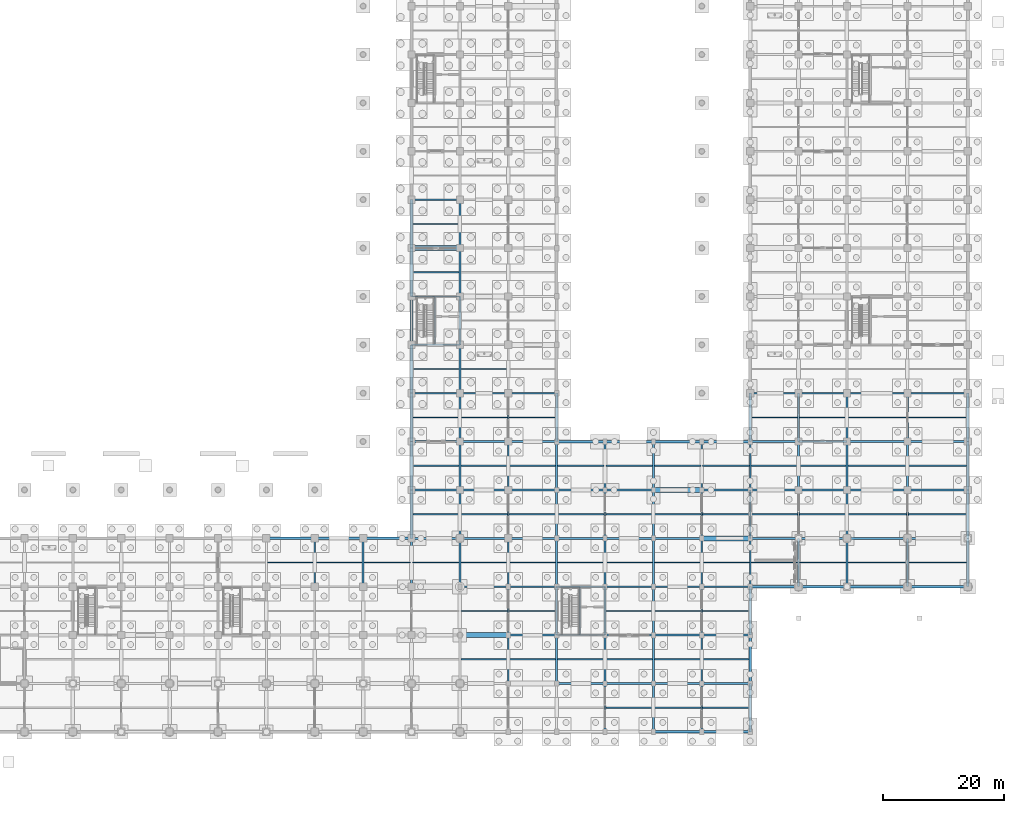
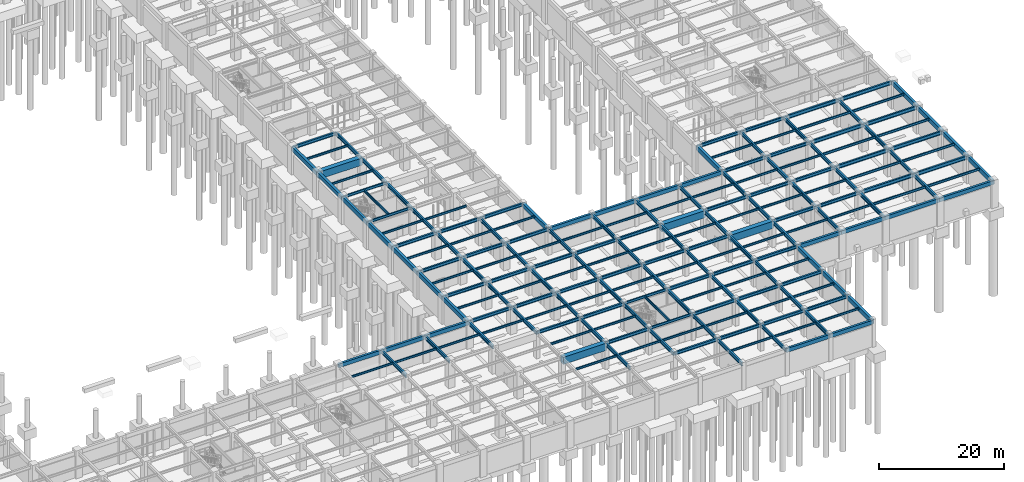
# One storey, part 61 of 97: 203 beams.
"""IFC4 building model written with IfcOpenShell, lengths in metres."""

from ifc_helpers import new_model, si_unit, direction, frame, origin, origin_2d, place, context, subcontext, project, spatial, rectangle, i_section, extrude, material, material_profile, profile_set, type_object, element, save


model = new_model("IFC4")

# Units and contexts
model_context = context("Model", 3, precision=1e-05, world=origin(), true_north=direction((0.0, 1.0)))
body_context = subcontext(model_context, "Body", "Model", "MODEL_VIEW")
ifc_project = project(units=[si_unit("LENGTHUNIT", "METRE"), si_unit("AREAUNIT", "SQUARE_METRE"), si_unit("VOLUMEUNIT", "CUBIC_METRE"), si_unit("PLANEANGLEUNIT", "RADIAN"), si_unit("MASSUNIT", "GRAM", prefix="KILO")], contexts=[model_context])

# Site, building, storey
site_placement = place(None, origin())
site = spatial("IfcSite", under=ifc_project, at=site_placement, CompositionType="ELEMENT")
building_placement = place(site_placement, origin())
building = spatial("IfcBuilding", under=site, at=building_placement, Name="Haebicheon Civic Stadium", CompositionType="ELEMENT")
storey_placement = place(building_placement, frame((0.0, 0.0, -5.39990234375)))
storey = spatial("IfcBuildingStorey", under=building, at=storey_placement, Name="B1", CompositionType="ELEMENT", Elevation=-5.39990234375)

# Beams
ifc_material_1 = material(Name="Steel SM355 (S355)", Category="steel")
ifc_material_profile_1 = material_profile(ifc_material_1, i_section(OverallWidth=0.199951171875, OverallDepth=0.5, WebThickness=0.010009765625, FlangeThickness=0.01611328125, at=origin_2d()), Name="H-500x200x10x16")
ifc_profile_set_1 = profile_set([ifc_material_profile_1], Name="Steel SM355 (S355)")
beam_type_1 = type_object("IfcBeamType", Name="BM-ST-H500", PredefinedType="BEAM", material=ifc_profile_set_1)
for number, where, z_axis, x_axis, name in (
    (1, (144.0, 64.0, 4.849853515625), (1.0, 0.0, 0.0), (0.0, 1.0, 0.0), "B1 beam J/19-20"),
    (2, (144.0, 72.0, 4.849853515625), (1.0, 0.0, 0.0), (0.0, 1.0, 0.0), "B1 beam K/19-20"),
    (3, (168.0, 16.0, 4.849853515625), (1.0, 0.0, 0.0), (0.0, 1.0, 0.0), "B1 beam C/22-23"),
    (4, (168.0, 24.0, 4.849853515625), (1.0, 0.0, 0.0), (0.0, 1.0, 0.0), "B1 beam D/22-23"),
):
    element("IfcBeam", number, at=place(storey_placement, frame(where, z_axis=z_axis, x_axis=x_axis)), inside=storey, type_object=beam_type_1, material=ifc_profile_set_1, Name=name, PredefinedType="BEAM", context=body_context, shape_type="SweptSolid", body=[
        extrude(i_section(OverallWidth=0.199951171875, OverallDepth=0.5, WebThickness=0.010009765625, FlangeThickness=0.01611328125, at=origin_2d()), origin(), (0.0, 0.0, 1.0), 8.0),
    ])
for number, where, z_axis, x_axis, name in (
    (5, (147.8798828125, 64.10009765625, 4.849853515625), (0.0, 1.0, 0.0), (-1.0, 0.0, 0.0), "B1 KC-10 core dividing wall support beam"),
    (6, (171.8798828125, 16.10009765625, 4.849853515625), (0.0, 1.0, 0.0), (-1.0, 0.0, 0.0), "B1 KC-14 core dividing wall support beam"),
):
    element("IfcBeam", number, at=place(storey_placement, frame(where, z_axis=z_axis, x_axis=x_axis)), inside=storey, type_object=beam_type_1, material=ifc_profile_set_1, Name=name, PredefinedType="BEAM", context=body_context, shape_type="SweptSolid", body=[
        extrude(i_section(OverallWidth=0.199951171875, OverallDepth=0.5, WebThickness=0.010009765625, FlangeThickness=0.01611328125, at=origin_2d()), origin(), (0.0, 0.0, 1.0), 7.7998046875),
    ])
ifc_material_2 = material(Name="Steel SM355 (S355)", Category="steel")
ifc_material_profile_2 = material_profile(ifc_material_2, i_section(OverallWidth=0.300048828125, OverallDepth=0.60009765625, WebThickness=0.011962890625, FlangeThickness=0.02001953125, at=origin_2d()), Name="H-600x300x12x20")
ifc_profile_set_2 = profile_set([ifc_material_profile_2], Name="Steel SM355 (S355)")
beam_type_2 = type_object("IfcBeamType", Name="BM-ST-H600A", PredefinedType="BEAM", material=ifc_profile_set_2)
for number, where, z_axis, x_axis, name in (
    (7, (144.0, 32.0, 4.7998046875), (1.0, 0.0, 0.0), (0.0, 1.0, 0.0), "B1 beam E/19-20"),
    (8, (144.0, 40.0, 4.7998046875), (1.0, 0.0, 0.0), (0.0, 1.0, 0.0), "B1 beam F/19-20"),
    (9, (144.0, 48.0, 4.7998046875), (1.0, 0.0, 0.0), (0.0, 1.0, 0.0), "B1 beam G/19-20"),
    (10, (144.0, 56.0, 4.7998046875), (1.0, 0.0, 0.0), (0.0, 1.0, 0.0), "B1 beam H/19-20"),
    (11, (144.0, 88.0, 4.7998046875), (1.0, 0.0, 0.0), (0.0, 1.0, 0.0), "B1 beam M/19-20"),
    (12, (152.0, 24.0, 4.7998046875), (1.0, 0.0, 0.0), (0.0, 1.0, 0.0), "B1 beam D/20-21"),
    (13, (152.0, 32.0, 4.7998046875), (1.0, 0.0, 0.0), (0.0, 1.0, 0.0), "B1 beam E/20-21"),
    (14, (152.0, 40.0, 4.7998046875), (1.0, 0.0, 0.0), (0.0, 1.0, 0.0), "B1 beam F/20-21"),
    (15, (152.0, 48.0, 4.7998046875), (1.0, 0.0, 0.0), (0.0, 1.0, 0.0), "B1 beam G/20-21"),
    (16, (152.0, 56.0, 4.7998046875), (1.0, 0.0, 0.0), (0.0, 1.0, 0.0), "B1 beam H/20-21"),
    (17, (160.0, 16.0, 4.7998046875), (1.0, 0.0, 0.0), (0.0, 1.0, 0.0), "B1 beam C/21-22"),
    (18, (160.0, 24.0, 4.7998046875), (1.0, 0.0, 0.0), (0.0, 1.0, 0.0), "B1 beam D/21-22"),
    (19, (160.0, 32.0, 4.7998046875), (1.0, 0.0, 0.0), (0.0, 1.0, 0.0), "B1 beam E/21-22"),
    (20, (160.0, 40.0, 4.7998046875), (1.0, 0.0, 0.0), (0.0, 1.0, 0.0), "B1 beam F/21-22"),
    (21, (160.0, 48.0, 4.7998046875), (1.0, 0.0, 0.0), (0.0, 1.0, 0.0), "B1 beam G/21-22"),
    (22, (160.0, 56.0, 4.7998046875), (1.0, 0.0, 0.0), (0.0, 1.0, 0.0), "B1 beam H/21-22"),
    (23, (168.0, 8.0, 4.7998046875), (1.0, 0.0, 0.0), (0.0, 1.0, 0.0), "B1 beam B/22-23"),
    (24, (168.0, 32.0, 4.7998046875), (1.0, 0.0, 0.0), (0.0, 1.0, 0.0), "B1 beam E/22-23"),
    (25, (168.0, 40.0, 4.7998046875), (1.0, 0.0, 0.0), (0.0, 1.0, 0.0), "B1 beam F/22-23"),
    (26, (176.0, 8.0, 4.7998046875), (1.0, 0.0, 0.0), (0.0, 1.0, 0.0), "B1 beam B/23-24"),
    (27, (176.0, 16.0, 4.7998046875), (1.0, 0.0, 0.0), (0.0, 1.0, 0.0), "B1 beam C/23-24"),
    (28, (176.0, 24.0, 4.7998046875), (1.0, 0.0, 0.0), (0.0, 1.0, 0.0), "B1 beam D/23-24"),
    (29, (176.0, 32.0, 4.7998046875), (1.0, 0.0, 0.0), (0.0, 1.0, 0.0), "B1 beam E/23-24"),
    (30, (176.0, 40.0, 4.7998046875), (1.0, 0.0, 0.0), (0.0, 1.0, 0.0), "B1 beam F/23-24"),
    (31, (184.0, 8.0, 4.7998046875), (1.0, 0.0, 0.0), (0.0, 1.0, 0.0), "B1 beam B/24-25"),
    (32, (184.0, 16.0, 4.7998046875), (1.0, 0.0, 0.0), (0.0, 1.0, 0.0), "B1 beam C/24-25"),
    (33, (184.0, 24.0, 4.7998046875), (1.0, 0.0, 0.0), (0.0, 1.0, 0.0), "B1 beam D/24-25"),
    (34, (184.0, 32.0, 4.7998046875), (1.0, 0.0, 0.0), (0.0, 1.0, 0.0), "B1 beam E/24-25"),
    (35, (192.0, 8.0, 4.7998046875), (1.0, 0.0, 0.0), (0.0, 1.0, 0.0), "B1 beam B/25-26"),
    (36, (192.0, 16.0, 4.7998046875), (1.0, 0.0, 0.0), (0.0, 1.0, 0.0), "B1 beam C/25-26"),
    (37, (192.0, 24.0, 4.7998046875), (1.0, 0.0, 0.0), (0.0, 1.0, 0.0), "B1 beam D/25-26"),
    (38, (192.0, 40.0, 4.7998046875), (1.0, 0.0, 0.0), (0.0, 1.0, 0.0), "B1 beam F/25-26"),
    (39, (200.0, 32.0, 4.7998046875), (1.0, 0.0, 0.0), (0.0, 1.0, 0.0), "B1 beam E/26-27"),
    (40, (200.0, 40.0, 4.7998046875), (1.0, 0.0, 0.0), (0.0, 1.0, 0.0), "B1 beam F/26-27"),
    (41, (200.0, 48.0, 4.7998046875), (1.0, 0.0, 0.0), (0.0, 1.0, 0.0), "B1 beam G/26-27"),
    (42, (200.0, 56.0, 4.7998046875), (1.0, 0.0, 0.0), (0.0, 1.0, 0.0), "B1 beam H/26-27"),
    (43, (208.0, 32.0, 4.7998046875), (1.0, 0.0, 0.0), (0.0, 1.0, 0.0), "B1 beam E/27-28"),
    (44, (208.0, 40.0, 4.7998046875), (1.0, 0.0, 0.0), (0.0, 1.0, 0.0), "B1 beam F/27-28"),
    (45, (208.0, 48.0, 4.7998046875), (1.0, 0.0, 0.0), (0.0, 1.0, 0.0), "B1 beam G/27-28"),
    (46, (208.0, 56.0, 4.7998046875), (1.0, 0.0, 0.0), (0.0, 1.0, 0.0), "B1 beam H/27-28"),
):
    element("IfcBeam", number, at=place(storey_placement, frame(where, z_axis=z_axis, x_axis=x_axis)), inside=storey, type_object=beam_type_2, material=ifc_profile_set_2, Name=name, PredefinedType="BEAM", context=body_context, shape_type="SweptSolid", body=[
        extrude(i_section(OverallWidth=0.300048828125, OverallDepth=0.60009765625, WebThickness=0.011962890625, FlangeThickness=0.02001953125, at=origin_2d()), origin(), (0.0, 0.0, 1.0), 8.0),
    ])
ifc_material_3 = material(Name="Steel SM490", Category="steel")
ifc_material_profile_3 = material_profile(ifc_material_3, i_section(OverallWidth=0.300048828125, OverallDepth=0.699951171875, WebThickness=0.012939453125, FlangeThickness=0.02392578125, at=origin_2d()), Name="H-700x300x13x24")
ifc_profile_set_3 = profile_set([ifc_material_profile_3], Name="Steel SM490")
beam_type_3 = type_object("IfcBeamType", Name="BM-ST-H700", PredefinedType="BEAM", material=ifc_profile_set_3)
for number, where, z_axis, x_axis, name in (
    (47, (128.0, 24.0, 4.75), (0.0, 1.0, 0.0), (-1.0, 0.0, 0.0), "B1 girder 17/D-E"),
    (48, (136.0, 24.0, 4.75), (0.0, 1.0, 0.0), (-1.0, 0.0, 0.0), "B1 girder 18/D-E"),
    (49, (144.0, 24.0, 4.75), (0.0, 1.0, 0.0), (-1.0, 0.0, 0.0), "B1 girder 19/D-E"),
    (50, (152.0, 24.0, 4.75), (0.0, 1.0, 0.0), (-1.0, 0.0, 0.0), "B1 girder 20/D-E"),
    (51, (152.0, 32.0, 4.75), (0.0, 1.0, 0.0), (-1.0, 0.0, 0.0), "B1 girder 20/E-F"),
    (52, (152.0, 40.0, 4.75), (0.0, 1.0, 0.0), (-1.0, 0.0, 0.0), "B1 girder 20/F-G"),
    (53, (152.0, 48.0, 4.75), (0.0, 1.0, 0.0), (-1.0, 0.0, 0.0), "B1 girder 20/G-H"),
    (54, (152.0, 56.0, 4.75), (0.0, 1.0, 0.0), (-1.0, 0.0, 0.0), "B1 girder 20/H-J"),
    (55, (152.0, 64.0, 4.75), (0.0, 1.0, 0.0), (-1.0, 0.0, 0.0), "B1 girder 20/J-K"),
    (56, (152.0, 72.0, 4.75), (0.0, 1.0, 0.0), (-1.0, 0.0, 0.0), "B1 girder 20/K-L"),
    (57, (152.0, 80.0, 4.75), (0.0, 1.0, 0.0), (-1.0, 0.0, 0.0), "B1 girder 20/L-M"),
    (58, (160.0, 8.0, 4.699951171875), (0.0, 1.0, 0.0), (-1.0, 0.0, 0.0), "B1 girder 21/B-C"),
    (59, (160.0, 16.0, 4.75), (0.0, 1.0, 0.0), (-1.0, 0.0, 0.0), "B1 girder 21/C-D"),
    (60, (160.0, 24.0, 4.75), (0.0, 1.0, 0.0), (-1.0, 0.0, 0.0), "B1 girder 21/D-E"),
    (61, (160.0, 32.0, 4.75), (0.0, 1.0, 0.0), (-1.0, 0.0, 0.0), "B1 girder 21/E-F"),
    (62, (160.0, 40.0, 4.75), (0.0, 1.0, 0.0), (-1.0, 0.0, 0.0), "B1 girder 21/F-G"),
    (63, (160.0, 48.0, 4.75), (0.0, 1.0, 0.0), (-1.0, 0.0, 0.0), "B1 girder 21/G-H"),
    (64, (168.0, 8.0, 4.75), (0.0, 1.0, 0.0), (-1.0, 0.0, 0.0), "B1 girder 22/B-C"),
    (65, (168.0, 16.0, 4.75), (0.0, 1.0, 0.0), (-1.0, 0.0, 0.0), "B1 girder 22/C-D"),
    (66, (168.0, 24.0, 4.75), (0.0, 1.0, 0.0), (-1.0, 0.0, 0.0), "B1 girder 22/D-E"),
    (67, (168.0, 32.0, 4.75), (0.0, 1.0, 0.0), (-1.0, 0.0, 0.0), "B1 girder 22/E-F"),
    (68, (168.0, 40.0, 4.75), (0.0, 1.0, 0.0), (-1.0, 0.0, 0.0), "B1 girder 22/F-G"),
    (69, (176.0, 0.0, 4.75), (0.0, 1.0, 0.0), (-1.0, 0.0, 0.0), "B1 girder 23/A-B"),
    (70, (176.0, 8.0, 4.75), (0.0, 1.0, 0.0), (-1.0, 0.0, 0.0), "B1 girder 23/B-C"),
    (71, (176.0, 16.0, 4.75), (0.0, 1.0, 0.0), (-1.0, 0.0, 0.0), "B1 girder 23/C-D"),
    (72, (176.0, 24.0, 4.75), (0.0, 1.0, 0.0), (-1.0, 0.0, 0.0), "B1 girder 23/D-E"),
    (73, (176.0, 32.0, 4.75), (0.0, 1.0, 0.0), (-1.0, 0.0, 0.0), "B1 girder 23/E-F"),
    (74, (176.0, 40.0, 4.75), (0.0, 1.0, 0.0), (-1.0, 0.0, 0.0), "B1 girder 23/F-G"),
    (75, (184.0, 0.0, 4.75), (0.0, 1.0, 0.0), (-1.0, 0.0, 0.0), "B1 girder 24/A-B"),
    (76, (184.0, 8.0, 4.75), (0.0, 1.0, 0.0), (-1.0, 0.0, 0.0), "B1 girder 24/B-C"),
    (77, (184.0, 16.0, 4.75), (0.0, 1.0, 0.0), (-1.0, 0.0, 0.0), "B1 girder 24/C-D"),
    (78, (184.0, 24.0, 4.75), (0.0, 1.0, 0.0), (-1.0, 0.0, 0.0), "B1 girder 24/D-E"),
    (79, (184.0, 32.0, 4.75), (0.0, 1.0, 0.0), (-1.0, 0.0, 0.0), "B1 girder 24/E-F"),
    (80, (184.0, 40.0, 4.75), (0.0, 1.0, 0.0), (-1.0, 0.0, 0.0), "B1 girder 24/F-G"),
    (81, (192.0, 0.0, 4.75), (0.0, 1.0, 0.0), (-1.0, 0.0, 0.0), "B1 girder 25/A-B"),
    (82, (192.0, 8.0, 4.75), (0.0, 1.0, 0.0), (-1.0, 0.0, 0.0), "B1 girder 25/B-C"),
    (83, (192.0, 16.0, 4.75), (0.0, 1.0, 0.0), (-1.0, 0.0, 0.0), "B1 girder 25/C-D"),
    (84, (192.0, 24.0, 4.75), (0.0, 1.0, 0.0), (-1.0, 0.0, 0.0), "B1 girder 25/D-E"),
    (85, (192.0, 32.0, 4.75), (0.0, 1.0, 0.0), (-1.0, 0.0, 0.0), "B1 girder 25/E-F"),
    (86, (192.0, 40.0, 4.75), (0.0, 1.0, 0.0), (-1.0, 0.0, 0.0), "B1 girder 25/F-G"),
    (87, (200.0, 24.0, 4.75), (0.0, 1.0, 0.0), (-1.0, 0.0, 0.0), "B1 girder 26/D-E"),
    (88, (200.0, 32.0, 4.75), (0.0, 1.0, 0.0), (-1.0, 0.0, 0.0), "B1 girder 26/E-F"),
    (89, (200.0, 40.0, 4.75), (0.0, 1.0, 0.0), (-1.0, 0.0, 0.0), "B1 girder 26/F-G"),
    (90, (208.0, 24.0, 4.75), (0.0, 1.0, 0.0), (-1.0, 0.0, 0.0), "B1 girder 27/D-E"),
    (91, (208.0, 32.0, 4.75), (0.0, 1.0, 0.0), (-1.0, 0.0, 0.0), "B1 girder 27/E-F"),
    (92, (208.0, 40.0, 4.75), (0.0, 1.0, 0.0), (-1.0, 0.0, 0.0), "B1 girder 27/F-G"),
    (93, (208.0, 48.0, 4.75), (0.0, 1.0, 0.0), (-1.0, 0.0, 0.0), "B1 girder 27/G-H"),
    (94, (216.0, 24.0, 4.75), (0.0, 1.0, 0.0), (-1.0, 0.0, 0.0), "B1 girder 28/D-E"),
    (95, (216.0, 32.0, 4.75), (0.0, 1.0, 0.0), (-1.0, 0.0, 0.0), "B1 girder 28/E-F"),
    (96, (216.0, 40.0, 4.75), (0.0, 1.0, 0.0), (-1.0, 0.0, 0.0), "B1 girder 28/F-G"),
    (97, (216.0, 48.0, 4.75), (0.0, 1.0, 0.0), (-1.0, 0.0, 0.0), "B1 girder 28/G-H"),
    (98, (226.0, 24.0, 4.75), (0.0, 1.0, 0.0), (-1.0, 0.0, 0.0), "B1 girder 29/D-E"),
    (99, (226.0, 32.0, 4.75), (0.0, 1.0, 0.0), (-1.0, 0.0, 0.0), "B1 girder 29/E-F"),
    (100, (226.0, 40.0, 4.75), (0.0, 1.0, 0.0), (-1.0, 0.0, 0.0), "B1 girder 29/F-G"),
    (101, (226.0, 48.0, 4.75), (0.0, 1.0, 0.0), (-1.0, 0.0, 0.0), "B1 girder 29/G-H"),
):
    element("IfcBeam", number, at=place(storey_placement, frame(where, z_axis=z_axis, x_axis=x_axis)), inside=storey, type_object=beam_type_3, material=ifc_profile_set_3, Name=name, PredefinedType="BEAM", context=body_context, shape_type="SweptSolid", body=[
        extrude(i_section(OverallWidth=0.300048828125, OverallDepth=0.699951171875, WebThickness=0.012939453125, FlangeThickness=0.02392578125, at=origin_2d()), origin(), (0.0, 0.0, 1.0), 8.0),
    ])
for number, where, z_axis, x_axis, name in (
    (102, (216.0, 32.0, 4.75), (1.0, 0.0, 0.0), (0.0, 1.0, 0.0), "B1 beam E/28-29"),
    (103, (216.0, 40.0, 4.75), (1.0, 0.0, 0.0), (0.0, 1.0, 0.0), "B1 beam F/28-29"),
    (104, (216.0, 48.0, 4.75), (1.0, 0.0, 0.0), (0.0, 1.0, 0.0), "B1 beam G/28-29"),
    (105, (216.0, 56.0, 4.75), (1.0, 0.0, 0.0), (0.0, 1.0, 0.0), "B1 beam H/28-29"),
    (106, (226.0, 32.0, 4.75), (1.0, 0.0, 0.0), (0.0, 1.0, 0.0), "B1 beam E/29-30"),
    (107, (226.0, 40.0, 4.75), (1.0, 0.0, 0.0), (0.0, 1.0, 0.0), "B1 beam F/29-30"),
    (108, (226.0, 48.0, 4.75), (1.0, 0.0, 0.0), (0.0, 1.0, 0.0), "B1 beam G/29-30"),
    (109, (226.0, 56.0, 4.75), (1.0, 0.0, 0.0), (0.0, 1.0, 0.0), "B1 beam H/29-30"),
):
    element("IfcBeam", number, at=place(storey_placement, frame(where, z_axis=z_axis, x_axis=x_axis)), inside=storey, type_object=beam_type_3, material=ifc_profile_set_3, Name=name, PredefinedType="BEAM", context=body_context, shape_type="SweptSolid", body=[
        extrude(i_section(OverallWidth=0.300048828125, OverallDepth=0.699951171875, WebThickness=0.012939453125, FlangeThickness=0.02392578125, at=origin_2d()), origin(), (0.0, 0.0, 1.0), 10.0),
    ])
ifc_material_4 = material(Name="Concrete C40/50", Category="concrete")
ifc_material_profile_4 = material_profile(ifc_material_4, rectangle(XDim=0.85009765625, YDim=1.39990234375, at=origin_2d()), Name="RC-TG-850x1400")
ifc_profile_set_4 = profile_set([ifc_material_profile_4], Name="Concrete C40/50")
beam_type_4 = type_object("IfcBeamType", Name="BM-TG-850x1400", PredefinedType="BEAM", material=ifc_profile_set_4)
for number, where, z_axis, x_axis, name in (
    (110, (144.0, 80.0, 4.39990234375), (1.0, 0.0, 0.0), (0.0, 1.0, 0.0), "B1 beam L/19-20"),
    (111, (152.0, 16.0, 4.349853515625), (1.0, 0.0, 0.0), (0.0, 1.0, 0.0), "B1 beam C/20-21"),
    (112, (184.0, 40.0, 4.39990234375), (1.0, 0.0, 0.0), (0.0, 1.0, 0.0), "B1 beam F/24-25"),
    (113, (192.0, 32.0, 4.39990234375), (1.0, 0.0, 0.0), (0.0, 1.0, 0.0), "B1 beam E/25-26"),
):
    element("IfcBeam", number, at=place(storey_placement, frame(where, z_axis=z_axis, x_axis=x_axis)), inside=storey, type_object=beam_type_4, material=ifc_profile_set_4, Name=name, PredefinedType="BEAM", context=body_context, shape_type="SweptSolid", body=[
        extrude(rectangle(XDim=0.85009765625, YDim=1.39990234375, at=origin_2d()), origin(), (0.0, 0.0, 1.0), 8.0),
    ])
ifc_material_5 = material(Name="Steel SM355 (S355)", Category="steel")
ifc_material_profile_5 = material_profile(ifc_material_5, i_section(OverallWidth=0.199951171875, OverallDepth=0.39990234375, WebThickness=0.008056640625, FlangeThickness=0.012939453125, at=origin_2d()), Name="H-400x200x8x13")
ifc_profile_set_5 = profile_set([ifc_material_profile_5], Name="Steel SM355 (S355)")
beam_type_5 = type_object("IfcBeamType", Name="JST-ST-H400", PredefinedType="JOIST", material=ifc_profile_set_5)
for number, where, z_axis, x_axis, name in (
    (114, (120.14990234375, 28.0, 4.89990234375), (1.0, 0.0, 0.0), (0.0, 1.0, 0.0), "B1 secondary joist 15-03"),
    (115, (128.14990234375, 28.0, 4.89990234375), (1.0, 0.0, 0.0), (0.0, 1.0, 0.0), "B1 secondary joist 16-03"),
    (116, (136.14990234375, 28.0, 4.89990234375), (1.0, 0.0, 0.0), (0.0, 1.0, 0.0), "B1 secondary joist 17-03"),
    (117, (144.14990234375, 28.0, 4.89990234375), (1.0, 0.0, 0.0), (0.0, 1.0, 0.0), "B1 secondary joist 18-03"),
):
    element("IfcBeam", number, at=place(storey_placement, frame(where, z_axis=z_axis, x_axis=x_axis)), inside=storey, type_object=beam_type_5, material=ifc_profile_set_5, Name=name, PredefinedType="JOIST", context=body_context, shape_type="SweptSolid", body=[
        extrude(i_section(OverallWidth=0.199951171875, OverallDepth=0.39990234375, WebThickness=0.008056640625, FlangeThickness=0.012939453125, at=origin_2d()), origin(), (0.0, 0.0, 1.0), 7.7001953125),
    ])
for number, where, z_axis, x_axis, name in (
    (118, (144.22509765625, 36.0, 4.89990234375), (1.0, 0.0, 0.0), (0.0, 1.0, 0.0), "B1 secondary joist 18-04"),
    (119, (144.22509765625, 44.0, 4.89990234375), (1.0, 0.0, 0.0), (0.0, 1.0, 0.0), "B1 secondary joist 18-05"),
    (120, (144.22509765625, 52.0, 4.89990234375), (1.0, 0.0, 0.0), (0.0, 1.0, 0.0), "B1 secondary joist 18-06"),
    (121, (144.22509765625, 60.0, 4.89990234375), (1.0, 0.0, 0.0), (0.0, 1.0, 0.0), "B1 secondary joist 18-07"),
    (122, (144.22509765625, 76.0, 4.89990234375), (1.0, 0.0, 0.0), (0.0, 1.0, 0.0), "B1 secondary joist 18-09"),
    (123, (144.22509765625, 84.0, 4.89990234375), (1.0, 0.0, 0.0), (0.0, 1.0, 0.0), "B1 secondary joist 18-10"),
):
    element("IfcBeam", number, at=place(storey_placement, frame(where, z_axis=z_axis, x_axis=x_axis)), inside=storey, type_object=beam_type_5, material=ifc_profile_set_5, Name=name, PredefinedType="JOIST", context=body_context, shape_type="SweptSolid", body=[
        extrude(i_section(OverallWidth=0.199951171875, OverallDepth=0.39990234375, WebThickness=0.008056640625, FlangeThickness=0.012939453125, at=origin_2d()), origin(), (0.0, 0.0, 1.0), 7.625),
    ])
for number, where, z_axis, x_axis, name in (
    (124, (152.14990234375, 12.0, 4.849853515625), (1.0, 0.0, 0.0), (0.0, 1.0, 0.0), "B1 secondary joist 19-01"),
    (125, (152.14990234375, 20.0, 4.89990234375), (1.0, 0.0, 0.0), (0.0, 1.0, 0.0), "B1 secondary joist 19-02"),
    (126, (152.14990234375, 28.0, 4.89990234375), (1.0, 0.0, 0.0), (0.0, 1.0, 0.0), "B1 secondary joist 19-03"),
    (127, (152.14990234375, 36.0, 4.89990234375), (1.0, 0.0, 0.0), (0.0, 1.0, 0.0), "B1 secondary joist 19-04"),
    (128, (152.14990234375, 44.0, 4.89990234375), (1.0, 0.0, 0.0), (0.0, 1.0, 0.0), "B1 secondary joist 19-05"),
    (129, (152.14990234375, 52.0, 4.89990234375), (1.0, 0.0, 0.0), (0.0, 1.0, 0.0), "B1 secondary joist 19-06"),
    (130, (152.14990234375, 60.0, 4.89990234375), (1.0, 0.0, 0.0), (0.0, 1.0, 0.0), "B1 secondary joist 19-07"),
    (131, (160.14990234375, 12.0, 4.89990234375), (1.0, 0.0, 0.0), (0.0, 1.0, 0.0), "B1 secondary joist 20-01"),
    (132, (160.14990234375, 20.0, 4.89990234375), (1.0, 0.0, 0.0), (0.0, 1.0, 0.0), "B1 secondary joist 20-02"),
    (133, (160.14990234375, 28.0, 4.89990234375), (1.0, 0.0, 0.0), (0.0, 1.0, 0.0), "B1 secondary joist 20-03"),
    (134, (160.14990234375, 36.0, 4.89990234375), (1.0, 0.0, 0.0), (0.0, 1.0, 0.0), "B1 secondary joist 20-04"),
    (135, (160.14990234375, 44.0, 4.89990234375), (1.0, 0.0, 0.0), (0.0, 1.0, 0.0), "B1 secondary joist 20-05"),
):
    element("IfcBeam", number, at=place(storey_placement, frame(where, z_axis=z_axis, x_axis=x_axis)), inside=storey, type_object=beam_type_5, material=ifc_profile_set_5, Name=name, PredefinedType="JOIST", context=body_context, shape_type="SweptSolid", body=[
        extrude(i_section(OverallWidth=0.199951171875, OverallDepth=0.39990234375, WebThickness=0.008056640625, FlangeThickness=0.012939453125, at=origin_2d()), origin(), (0.0, 0.0, 1.0), 7.7001953125),
    ])
beam_1_placement = place(storey_placement, frame((160.14990234375, 52.0, 4.89990234375), z_axis=(1.0, 0.0, 0.0), x_axis=(0.0, 1.0, 0.0)))
element("IfcBeam", 136, at=beam_1_placement, inside=storey, type_object=beam_type_5, material=ifc_profile_set_5, Name="B1 secondary joist 20-06", PredefinedType="JOIST", context=body_context, shape_type="SweptSolid", body=[
    extrude(i_section(OverallWidth=0.199951171875, OverallDepth=0.39990234375, WebThickness=0.008056640625, FlangeThickness=0.012939453125, at=origin_2d()), origin(), (0.0, 0.0, 1.0), 7.625),
])
for number, where, z_axis, x_axis, name in (
    (137, (168.14990234375, 12.0, 4.89990234375), (1.0, 0.0, 0.0), (0.0, 1.0, 0.0), "B1 secondary joist 21-01"),
    (138, (168.14990234375, 28.0, 4.89990234375), (1.0, 0.0, 0.0), (0.0, 1.0, 0.0), "B1 secondary joist 21-03"),
    (139, (168.14990234375, 36.0, 4.89990234375), (1.0, 0.0, 0.0), (0.0, 1.0, 0.0), "B1 secondary joist 21-04"),
    (140, (168.14990234375, 44.0, 4.89990234375), (1.0, 0.0, 0.0), (0.0, 1.0, 0.0), "B1 secondary joist 21-05"),
    (141, (176.14990234375, 4.0, 4.89990234375), (1.0, 0.0, 0.0), (0.0, 1.0, 0.0), "B1 secondary joist 22-00"),
    (142, (176.14990234375, 12.0, 4.89990234375), (1.0, 0.0, 0.0), (0.0, 1.0, 0.0), "B1 secondary joist 22-01"),
    (143, (176.14990234375, 20.0, 4.89990234375), (1.0, 0.0, 0.0), (0.0, 1.0, 0.0), "B1 secondary joist 22-02"),
    (144, (176.14990234375, 28.0, 4.89990234375), (1.0, 0.0, 0.0), (0.0, 1.0, 0.0), "B1 secondary joist 22-03"),
    (145, (176.14990234375, 36.0, 4.89990234375), (1.0, 0.0, 0.0), (0.0, 1.0, 0.0), "B1 secondary joist 22-04"),
    (146, (176.14990234375, 44.0, 4.89990234375), (1.0, 0.0, 0.0), (0.0, 1.0, 0.0), "B1 secondary joist 22-05"),
    (147, (184.14990234375, 4.0, 4.89990234375), (1.0, 0.0, 0.0), (0.0, 1.0, 0.0), "B1 secondary joist 23-00"),
    (148, (184.14990234375, 12.0, 4.89990234375), (1.0, 0.0, 0.0), (0.0, 1.0, 0.0), "B1 secondary joist 23-01"),
    (149, (184.14990234375, 20.0, 4.89990234375), (1.0, 0.0, 0.0), (0.0, 1.0, 0.0), "B1 secondary joist 23-02"),
    (150, (184.14990234375, 28.0, 4.89990234375), (1.0, 0.0, 0.0), (0.0, 1.0, 0.0), "B1 secondary joist 23-03"),
    (151, (184.14990234375, 36.0, 4.89990234375), (1.0, 0.0, 0.0), (0.0, 1.0, 0.0), "B1 secondary joist 23-04"),
    (152, (184.14990234375, 44.0, 4.89990234375), (1.0, 0.0, 0.0), (0.0, 1.0, 0.0), "B1 secondary joist 23-05"),
):
    element("IfcBeam", number, at=place(storey_placement, frame(where, z_axis=z_axis, x_axis=x_axis)), inside=storey, type_object=beam_type_5, material=ifc_profile_set_5, Name=name, PredefinedType="JOIST", context=body_context, shape_type="SweptSolid", body=[
        extrude(i_section(OverallWidth=0.199951171875, OverallDepth=0.39990234375, WebThickness=0.008056640625, FlangeThickness=0.012939453125, at=origin_2d()), origin(), (0.0, 0.0, 1.0), 7.7001953125),
    ])
for number, where, z_axis, x_axis, name in (
    (153, (192.14990234375, 4.0, 4.89990234375), (1.0, 0.0, 0.0), (0.0, 1.0, 0.0), "B1 secondary joist 24-00"),
    (154, (192.14990234375, 12.0, 4.89990234375), (1.0, 0.0, 0.0), (0.0, 1.0, 0.0), "B1 secondary joist 24-01"),
    (155, (192.14990234375, 20.0, 4.89990234375), (1.0, 0.0, 0.0), (0.0, 1.0, 0.0), "B1 secondary joist 24-02"),
):
    element("IfcBeam", number, at=place(storey_placement, frame(where, z_axis=z_axis, x_axis=x_axis)), inside=storey, type_object=beam_type_5, material=ifc_profile_set_5, Name=name, PredefinedType="JOIST", context=body_context, shape_type="SweptSolid", body=[
        extrude(i_section(OverallWidth=0.199951171875, OverallDepth=0.39990234375, WebThickness=0.008056640625, FlangeThickness=0.012939453125, at=origin_2d()), origin(), (0.0, 0.0, 1.0), 7.625),
    ])
for number, where, z_axis, x_axis, name in (
    (156, (192.14990234375, 28.0, 4.89990234375), (1.0, 0.0, 0.0), (0.0, 1.0, 0.0), "B1 secondary joist 24-03"),
    (157, (192.14990234375, 36.0, 4.89990234375), (1.0, 0.0, 0.0), (0.0, 1.0, 0.0), "B1 secondary joist 24-04"),
    (158, (192.14990234375, 44.0, 4.89990234375), (1.0, 0.0, 0.0), (0.0, 1.0, 0.0), "B1 secondary joist 24-05"),
    (159, (200.14990234375, 28.0, 4.89990234375), (1.0, 0.0, 0.0), (0.0, 1.0, 0.0), "B1 secondary joist 25-03"),
    (160, (200.14990234375, 36.0, 4.89990234375), (1.0, 0.0, 0.0), (0.0, 1.0, 0.0), "B1 secondary joist 25-04"),
    (161, (200.14990234375, 44.0, 4.89990234375), (1.0, 0.0, 0.0), (0.0, 1.0, 0.0), "B1 secondary joist 25-05"),
):
    element("IfcBeam", number, at=place(storey_placement, frame(where, z_axis=z_axis, x_axis=x_axis)), inside=storey, type_object=beam_type_5, material=ifc_profile_set_5, Name=name, PredefinedType="JOIST", context=body_context, shape_type="SweptSolid", body=[
        extrude(i_section(OverallWidth=0.199951171875, OverallDepth=0.39990234375, WebThickness=0.008056640625, FlangeThickness=0.012939453125, at=origin_2d()), origin(), (0.0, 0.0, 1.0), 7.7001953125),
    ])
beam_2_placement = place(storey_placement, frame((200.22509765625, 52.0, 4.89990234375), z_axis=(1.0, 0.0, 0.0), x_axis=(0.0, 1.0, 0.0)))
element("IfcBeam", 162, at=beam_2_placement, inside=storey, type_object=beam_type_5, material=ifc_profile_set_5, Name="B1 secondary joist 25-06", PredefinedType="JOIST", context=body_context, shape_type="SweptSolid", body=[
    extrude(i_section(OverallWidth=0.199951171875, OverallDepth=0.39990234375, WebThickness=0.008056640625, FlangeThickness=0.012939453125, at=origin_2d()), origin(), (0.0, 0.0, 1.0), 7.625),
])
for number, where, z_axis, x_axis, name in (
    (163, (208.14990234375, 28.0, 4.89990234375), (1.0, 0.0, 0.0), (0.0, 1.0, 0.0), "B1 secondary joist 26-03"),
    (164, (208.14990234375, 36.0, 4.89990234375), (1.0, 0.0, 0.0), (0.0, 1.0, 0.0), "B1 secondary joist 26-04"),
    (165, (208.14990234375, 44.0, 4.89990234375), (1.0, 0.0, 0.0), (0.0, 1.0, 0.0), "B1 secondary joist 26-05"),
    (166, (208.14990234375, 52.0, 4.89990234375), (1.0, 0.0, 0.0), (0.0, 1.0, 0.0), "B1 secondary joist 26-06"),
):
    element("IfcBeam", number, at=place(storey_placement, frame(where, z_axis=z_axis, x_axis=x_axis)), inside=storey, type_object=beam_type_5, material=ifc_profile_set_5, Name=name, PredefinedType="JOIST", context=body_context, shape_type="SweptSolid", body=[
        extrude(i_section(OverallWidth=0.199951171875, OverallDepth=0.39990234375, WebThickness=0.008056640625, FlangeThickness=0.012939453125, at=origin_2d()), origin(), (0.0, 0.0, 1.0), 7.7001953125),
    ])
ifc_material_6 = material(Name="Steel SM355 (S355)", Category="steel")
ifc_material_profile_6 = material_profile(ifc_material_6, i_section(OverallWidth=0.199951171875, OverallDepth=0.449951171875, WebThickness=0.009033203125, FlangeThickness=0.013916015625, at=origin_2d()), Name="H-450x200x9x14")
ifc_profile_set_6 = profile_set([ifc_material_profile_6], Name="Steel SM355 (S355)")
beam_type_6 = type_object("IfcBeamType", Name="JST-ST-H450", PredefinedType="JOIST", material=ifc_profile_set_6)
for number, where, z_axis, x_axis, name in (
    (167, (216.14990234375, 28.0, 4.875), (1.0, 0.0, 0.0), (0.0, 1.0, 0.0), "B1 secondary joist 27-03"),
    (168, (216.14990234375, 36.0, 4.875), (1.0, 0.0, 0.0), (0.0, 1.0, 0.0), "B1 secondary joist 27-04"),
    (169, (216.14990234375, 44.0, 4.875), (1.0, 0.0, 0.0), (0.0, 1.0, 0.0), "B1 secondary joist 27-05"),
    (170, (216.14990234375, 52.0, 4.875), (1.0, 0.0, 0.0), (0.0, 1.0, 0.0), "B1 secondary joist 27-06"),
):
    element("IfcBeam", number, at=place(storey_placement, frame(where, z_axis=z_axis, x_axis=x_axis)), inside=storey, type_object=beam_type_6, material=ifc_profile_set_6, Name=name, PredefinedType="JOIST", context=body_context, shape_type="SweptSolid", body=[
        extrude(i_section(OverallWidth=0.199951171875, OverallDepth=0.449951171875, WebThickness=0.009033203125, FlangeThickness=0.013916015625, at=origin_2d()), origin(), (0.0, 0.0, 1.0), 9.7001953125),
    ])
for number, where, z_axis, x_axis, name in (
    (171, (226.14990234375, 28.0, 4.875), (1.0, 0.0, 0.0), (0.0, 1.0, 0.0), "B1 secondary joist 28-03"),
    (172, (226.14990234375, 36.0, 4.875), (1.0, 0.0, 0.0), (0.0, 1.0, 0.0), "B1 secondary joist 28-04"),
    (173, (226.14990234375, 44.0, 4.875), (1.0, 0.0, 0.0), (0.0, 1.0, 0.0), "B1 secondary joist 28-05"),
    (174, (226.14990234375, 52.0, 4.875), (1.0, 0.0, 0.0), (0.0, 1.0, 0.0), "B1 secondary joist 28-06"),
):
    element("IfcBeam", number, at=place(storey_placement, frame(where, z_axis=z_axis, x_axis=x_axis)), inside=storey, type_object=beam_type_6, material=ifc_profile_set_6, Name=name, PredefinedType="JOIST", context=body_context, shape_type="SweptSolid", body=[
        extrude(i_section(OverallWidth=0.199951171875, OverallDepth=0.449951171875, WebThickness=0.009033203125, FlangeThickness=0.013916015625, at=origin_2d()), origin(), (0.0, 0.0, 1.0), 9.625),
    ])
ifc_material_7 = material(Name="Concrete C40/50", Category="concrete")
ifc_material_profile_7 = material_profile(ifc_material_7, rectangle(XDim=0.39990234375, YDim=0.75, at=origin_2d()), Name="RC-SP-400x750")
ifc_profile_set_7 = profile_set([ifc_material_profile_7], Name="Concrete C40/50")
beam_type_7 = type_object("IfcBeamType", Name="SPD-RC-400x750", PredefinedType="SPANDREL", material=ifc_profile_set_7)
for number, where, z_axis, x_axis, name in (
    (175, (120.0, 32.0, 4.724853515625), (1.0, 0.0, 0.0), (0.0, 1.0, 0.0), "B1 beam E/16-17"),
    (176, (128.0, 32.0, 4.724853515625), (1.0, 0.0, 0.0), (0.0, 1.0, 0.0), "B1 beam E/17-18"),
    (177, (136.0, 32.0, 4.724853515625), (1.0, 0.0, 0.0), (0.0, 1.0, 0.0), "B1 beam E/18-19"),
    (178, (168.0, 48.0, 4.724853515625), (1.0, 0.0, 0.0), (0.0, 1.0, 0.0), "B1 beam G/22-23"),
    (179, (176.0, 48.0, 4.724853515625), (1.0, 0.0, 0.0), (0.0, 1.0, 0.0), "B1 beam G/23-24"),
    (180, (184.0, 0.0, 4.724853515625), (1.0, 0.0, 0.0), (0.0, 1.0, 0.0), "B1 beam A/24-25"),
    (181, (184.0, 48.0, 4.724853515625), (1.0, 0.0, 0.0), (0.0, 1.0, 0.0), "B1 beam G/24-25"),
    (182, (192.0, 0.0, 4.724853515625), (1.0, 0.0, 0.0), (0.0, 1.0, 0.0), "B1 beam A/25-26"),
    (183, (192.0, 48.0, 4.724853515625), (1.0, 0.0, 0.0), (0.0, 1.0, 0.0), "B1 beam G/25-26"),
    (184, (200.0, 24.0, 4.724853515625), (1.0, 0.0, 0.0), (0.0, 1.0, 0.0), "B1 beam D/26-27"),
    (185, (208.0, 24.0, 4.724853515625), (1.0, 0.0, 0.0), (0.0, 1.0, 0.0), "B1 beam D/27-28"),
):
    element("IfcBeam", number, at=place(storey_placement, frame(where, z_axis=z_axis, x_axis=x_axis)), inside=storey, type_object=beam_type_7, material=ifc_profile_set_7, Name=name, PredefinedType="SPANDREL", context=body_context, shape_type="SweptSolid", body=[
        extrude(rectangle(XDim=0.39990234375, YDim=0.75, at=origin_2d()), origin(), (0.0, 0.0, 1.0), 8.0),
    ])
for number, where, z_axis, x_axis, name in (
    (186, (216.0, 24.0, 4.724853515625), (1.0, 0.0, 0.0), (0.0, 1.0, 0.0), "B1 beam D/28-29"),
    (187, (226.0, 24.0, 4.724853515625), (1.0, 0.0, 0.0), (0.0, 1.0, 0.0), "B1 beam D/29-30"),
):
    element("IfcBeam", number, at=place(storey_placement, frame(where, z_axis=z_axis, x_axis=x_axis)), inside=storey, type_object=beam_type_7, material=ifc_profile_set_7, Name=name, PredefinedType="SPANDREL", context=body_context, shape_type="SweptSolid", body=[
        extrude(rectangle(XDim=0.39990234375, YDim=0.75, at=origin_2d()), origin(), (0.0, 0.0, 1.0), 10.0),
    ])
ifc_material_8 = material(Name="Concrete C40/50", Category="concrete")
ifc_material_profile_8 = material_profile(ifc_material_8, rectangle(XDim=0.449951171875, YDim=0.85009765625, at=origin_2d()), Name="RC-SP-450x850")
ifc_profile_set_8 = profile_set([ifc_material_profile_8], Name="Concrete C40/50")
beam_type_8 = type_object("IfcBeamType", Name="SPD-RC-450x850", PredefinedType="SPANDREL", material=ifc_profile_set_8)
for number, where, z_axis, x_axis, name in (
    (188, (144.0, 32.0, 4.6748046875), (0.0, 1.0, 0.0), (-1.0, 0.0, 0.0), "B1 girder 19/E-F"),
    (189, (144.0, 40.0, 4.6748046875), (0.0, 1.0, 0.0), (-1.0, 0.0, 0.0), "B1 girder 19/F-G"),
    (190, (144.0, 48.0, 4.6748046875), (0.0, 1.0, 0.0), (-1.0, 0.0, 0.0), "B1 girder 19/G-H"),
    (191, (144.0, 56.0, 4.6748046875), (0.0, 1.0, 0.0), (-1.0, 0.0, 0.0), "B1 girder 19/H-J"),
    (192, (144.0, 64.0, 4.6748046875), (0.0, 1.0, 0.0), (-1.0, 0.0, 0.0), "B1 girder 19/J-K"),
    (193, (144.0, 72.0, 4.6748046875), (0.0, 1.0, 0.0), (-1.0, 0.0, 0.0), "B1 girder 19/K-L"),
    (194, (144.0, 80.0, 4.6748046875), (0.0, 1.0, 0.0), (-1.0, 0.0, 0.0), "B1 girder 19/L-M"),
    (195, (168.0, 48.0, 4.6748046875), (0.0, 1.0, 0.0), (-1.0, 0.0, 0.0), "B1 girder 22/G-H"),
    (196, (200.0, 0.0, 4.6748046875), (0.0, 1.0, 0.0), (-1.0, 0.0, 0.0), "B1 girder 26/A-B"),
    (197, (200.0, 8.0, 4.6748046875), (0.0, 1.0, 0.0), (-1.0, 0.0, 0.0), "B1 girder 26/B-C"),
    (198, (200.0, 16.0, 4.6748046875), (0.0, 1.0, 0.0), (-1.0, 0.0, 0.0), "B1 girder 26/C-D"),
    (199, (200.0, 48.0, 4.6748046875), (0.0, 1.0, 0.0), (-1.0, 0.0, 0.0), "B1 girder 26/G-H"),
    (200, (236.0, 24.0, 4.6748046875), (0.0, 1.0, 0.0), (-1.0, 0.0, 0.0), "B1 girder 30/D-E"),
    (201, (236.0, 32.0, 4.6748046875), (0.0, 1.0, 0.0), (-1.0, 0.0, 0.0), "B1 girder 30/E-F"),
    (202, (236.0, 40.0, 4.6748046875), (0.0, 1.0, 0.0), (-1.0, 0.0, 0.0), "B1 girder 30/F-G"),
    (203, (236.0, 48.0, 4.6748046875), (0.0, 1.0, 0.0), (-1.0, 0.0, 0.0), "B1 girder 30/G-H"),
):
    element("IfcBeam", number, at=place(storey_placement, frame(where, z_axis=z_axis, x_axis=x_axis)), inside=storey, type_object=beam_type_8, material=ifc_profile_set_8, Name=name, PredefinedType="SPANDREL", context=body_context, shape_type="SweptSolid", body=[
        extrude(rectangle(XDim=0.449951171875, YDim=0.85009765625, at=origin_2d()), origin(), (0.0, 0.0, 1.0), 8.0),
    ])

save(model, "model.ifc")
